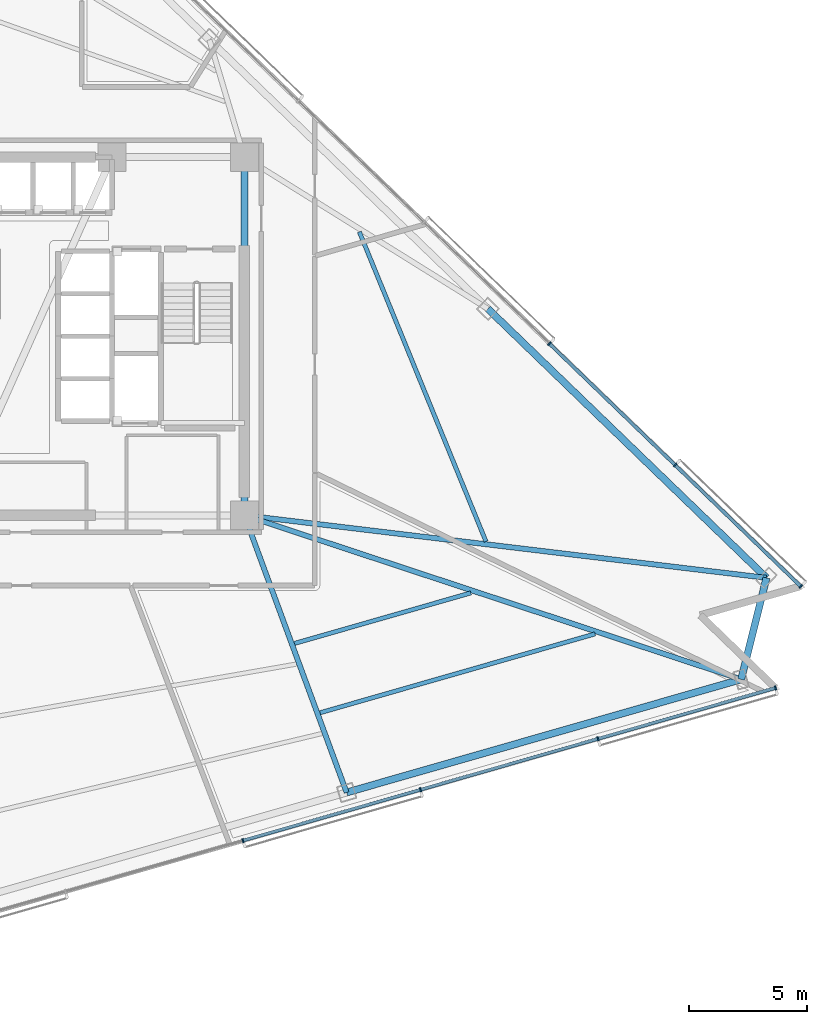
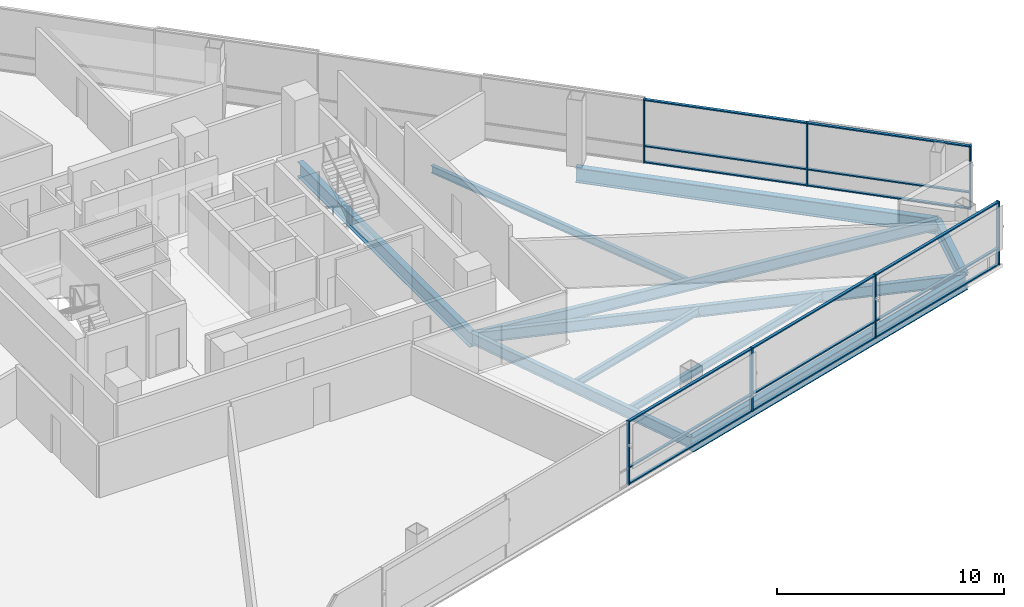
# One storey, part 5 of 17: 22 members, 10 beams, 2 elements without a shape of their own.
"""IFC4 building model written with IfcOpenShell, lengths in metres."""

import ifcopenshell
import ifcopenshell.guid

model = None  # the IFC model being written
_history = None  # IfcOwnerHistory: only IFC2X3 demands one
_inside = {}  # id of a spatial element -> (the spatial element, [elements in it])
_under = {}  # id of a project, library or spatial element -> (it, [spatial elements below it])
_declared = {}  # id of a project -> (the project, [libraries it declares])
_typed = {}  # id of a type object -> (the type object, [elements of that type])
_made_of = {}  # id of a material, layer set ... -> (it, [elements and type objects made of it])


def new_model(schema):
    """Start an empty IFC model of exactly this schema.

    Asked for "IFC4X3", IfcOpenShell would pick the latest addendum, in which some entities
    have other attributes; the version numbers below select the first issue.
    IFC2X3 requires an IfcOwnerHistory on every rooted entity: one is made here for all.
    """
    global model, _history
    if schema == "IFC4X3":
        model = ifcopenshell.file(schema_version=(4, 3, 0, 0))
    else:
        model = ifcopenshell.file(schema=schema)
    _inside.clear()
    _under.clear()
    _declared.clear()
    _typed.clear()
    _made_of.clear()
    _history = None
    if model.schema == "IFC2X3":
        org = make("IfcOrganization", Name="unknown")
        user = make(
            "IfcPersonAndOrganization",
            ThePerson=make("IfcPerson", FamilyName="unknown"),
            TheOrganization=org,
        )
        app = make(
            "IfcApplication",
            ApplicationDeveloper=org,
            Version="unknown",
            ApplicationFullName="unknown",
            ApplicationIdentifier="unknown",
        )
        _history = make(
            "IfcOwnerHistory",
            OwningUser=user,
            OwningApplication=app,
            ChangeAction="ADDED",
            CreationDate=0,
        )
    return model


def make(cls, **values):
    """One entity of the class cls with the attributes given. An attribute that is None is left unset."""
    return model.create_entity(
        cls, **{name: value for name, value in values.items() if value is not None}
    )


def rooted(cls, **values):
    """An entity with a GlobalId (a new one), such as an element, a storey or a relation."""
    return make(cls, GlobalId=ifcopenshell.guid.new(), OwnerHistory=_history, **values)


def si_unit(unit_type, name, prefix=None):
    """IfcSIUnit, for example si_unit("LENGTHUNIT", "METRE", prefix="MILLI")."""
    return make("IfcSIUnit", UnitType=unit_type, Prefix=prefix, Name=name)


def assignment(units):
    """IfcUnitAssignment: the units of a project."""
    return None if units is None else make("IfcUnitAssignment", Units=units)


def point(xyz):
    """IfcCartesianPoint."""
    return None if xyz is None else make("IfcCartesianPoint", Coordinates=xyz)


def direction(xyz):
    """IfcDirection."""
    return None if xyz is None else make("IfcDirection", DirectionRatios=xyz)


def frame(location, z_axis=None, x_axis=None):
    """IfcAxis2Placement3D, a coordinate frame: its origin and axes. An axis left out is left unset."""
    return make(
        "IfcAxis2Placement3D",
        Location=point(location),
        Axis=direction(z_axis),
        RefDirection=direction(x_axis),
    )


def frame_2d(location, x_axis=None):
    """IfcAxis2Placement2D, a coordinate frame in the plane: its origin and x axis."""
    return make(
        "IfcAxis2Placement2D", Location=point(location), RefDirection=direction(x_axis)
    )


def origin():
    """The frame at (0, 0, 0) with its axes left unset."""
    return frame((0.0, 0.0, 0.0))


def origin_2d():
    """The frame at (0, 0) in the plane with its x axis left unset."""
    return frame_2d((0.0, 0.0))


def place(relative_to, where):
    """IfcLocalPlacement: puts the frame where relative to a parent placement (None: the world)."""
    return make(
        "IfcLocalPlacement", PlacementRelTo=relative_to, RelativePlacement=where
    )


def context(
    kind, dimensions, precision=None, world=None, true_north=None, identifier=None
):
    """IfcGeometricRepresentationContext, for example the 3D "Model" context."""
    return make(
        "IfcGeometricRepresentationContext",
        ContextIdentifier=identifier,
        ContextType=kind,
        CoordinateSpaceDimension=dimensions,
        Precision=precision,
        WorldCoordinateSystem=world,
        TrueNorth=true_north,
    )


def subcontext(parent, identifier, kind, view, scale=None):
    """IfcGeometricRepresentationSubContext, for example "Body" below "Model"."""
    return make(
        "IfcGeometricRepresentationSubContext",
        ContextIdentifier=identifier,
        ContextType=kind,
        ParentContext=parent,
        TargetScale=scale,
        TargetView=view,
    )


def project(units=None, contexts=None):
    """IfcProject with its units and contexts."""
    return rooted(
        "IfcProject",
        Name="project",
        RepresentationContexts=contexts,
        UnitsInContext=assignment(units),
    )


def spatial(cls, under=None, at=None, **own):
    """A site, building, storey or space (cls), placed at a placement, below another one or the project."""
    s = rooted(cls, ObjectPlacement=at, **own)
    if under is not None:
        _under.setdefault(under.id(), (under, []))[1].append(s)
    return s


def profile(cls, at=None, kind="AREA", **sizes):
    """A parametric profile (cls). Its sizes go by their IFC names, for example OverallWidth=200.0."""
    return make(cls, ProfileType=kind, Position=at, **sizes)


def rectangle(**sizes):
    """IfcRectangleProfileDef."""
    return profile("IfcRectangleProfileDef", **sizes)


def i_section(**sizes):
    """IfcIShapeProfileDef."""
    return profile("IfcIShapeProfileDef", **sizes)


def extrude(swept, where, along, depth):
    """IfcExtrudedAreaSolid: the profile swept, set in the frame where, extruded along a direction by depth."""
    return make(
        "IfcExtrudedAreaSolid",
        SweptArea=swept,
        Position=where,
        ExtrudedDirection=direction(along),
        Depth=depth,
    )


def shape(context_of_items, identifier, shape_type, items):
    """IfcShapeRepresentation: the items that make up one representation, for example the "Body"."""
    return make(
        "IfcShapeRepresentation",
        ContextOfItems=context_of_items,
        RepresentationIdentifier=identifier,
        RepresentationType=shape_type,
        Items=items,
    )


def material(Name=None, Category=None):
    """IfcMaterial."""
    return make("IfcMaterial", Name=Name, Category=Category)


def layer(
    of_material, thickness, ventilated=None, Name=None, Category=None, Priority=None
):
    """IfcMaterialLayer: one layer of a wall or slab, of a material (None: an air gap)."""
    return make(
        "IfcMaterialLayer",
        Material=of_material,
        LayerThickness=thickness,
        IsVentilated=ventilated,
        Name=Name,
        Category=Category,
        Priority=Priority,
    )


def layer_set(layers, Name=None):
    """IfcMaterialLayerSet."""
    return make("IfcMaterialLayerSet", MaterialLayers=layers, LayerSetName=Name)


def material_profile(
    of_material, cross_section, Name=None, Category=None, Priority=None
):
    """IfcMaterialProfile: a cross section and its material."""
    return make(
        "IfcMaterialProfile",
        Name=Name,
        Material=of_material,
        Profile=cross_section,
        Priority=Priority,
        Category=Category,
    )


def profile_set(profiles, Name=None, composite=None):
    """IfcMaterialProfileSet."""
    return make(
        "IfcMaterialProfileSet",
        Name=Name,
        MaterialProfiles=profiles,
        CompositeProfile=composite,
    )


def made_of(thing, what):
    """Note that an element or type object is made of a material, layer set ...; save() writes the relation."""
    if what is not None:
        _made_of.setdefault(what.id(), (what, []))[1].append(thing)
    return thing


def type_object(cls, material=None, **own):
    """A type object (cls), such as IfcWallType, which elements share."""
    return made_of(rooted(cls, **own), material)


def element(
    cls,
    number,
    at=None,
    inside=None,
    cuts=None,
    type_object=None,
    material=None,
    context=None,
    identifier="Body",
    shape_type=None,
    held_by="IfcProductDefinitionShape",
    body=None,
    shapes=None,
    **own,
):
    """One element of the class cls, such as IfcWall. Its Tag is "e" and its number.

    at: its placement. inside: the storey or other place that contains it. cuts: it is an
    opening in that element (IfcRelVoidsElement). A single representation is given by context,
    identifier, shape_type and body (its items); several are given by shapes. held_by: the class
    of the entity that holds the representations. save() writes the other relations.
    """
    e = rooted(cls, Tag="e%d" % number, ObjectPlacement=at, **own)
    if body is not None:
        shapes = [shape(context, identifier, shape_type, body)]
    if shapes is not None:
        e.Representation = make(held_by, Representations=shapes)
    if inside is not None:
        _inside.setdefault(inside.id(), (inside, []))[1].append(e)
    if cuts is not None:
        rooted(
            "IfcRelVoidsElement", RelatingBuildingElement=cuts, RelatedOpeningElement=e
        )
    if type_object is not None:
        _typed.setdefault(type_object.id(), (type_object, []))[1].append(e)
    return made_of(e, material)


def aggregate(whole, parts):
    """IfcRelAggregates: a whole, such as a stair, and the parts it consists of."""
    return rooted("IfcRelAggregates", RelatingObject=whole, RelatedObjects=parts)


def save(model, path):
    """Write the relations noted so far, then the file.

    IfcRelAggregates (storeys below a building ...), IfcRelContainedInSpatialStructure (elements
    in a storey), IfcRelDefinesByType, IfcRelAssociatesMaterial and IfcRelDeclares: one each for
    every whole, place, type object, material and project.
    """
    for whole, parts in _under.values():
        aggregate(whole, parts)
    for where, things in _inside.values():
        rooted(
            "IfcRelContainedInSpatialStructure",
            RelatedElements=things,
            RelatingStructure=where,
        )
    for kind, things in _typed.values():
        rooted("IfcRelDefinesByType", RelatedObjects=things, RelatingType=kind)
    for what, things in _made_of.values():
        rooted("IfcRelAssociatesMaterial", RelatedObjects=things, RelatingMaterial=what)
    for by, libraries in _declared.values():
        rooted("IfcRelDeclares", RelatingContext=by, RelatedDefinitions=libraries)
    model.write(path)


model = new_model("IFC4")

# Units and contexts
model_context = context("Model", 3, precision=1e-05, world=origin(), true_north=direction((0.0, 1.0)))
body_context = subcontext(model_context, "Body", "Model", "MODEL_VIEW")
ifc_project = project(units=[si_unit("LENGTHUNIT", "METRE"), si_unit("AREAUNIT", "SQUARE_METRE"), si_unit("VOLUMEUNIT", "CUBIC_METRE"), si_unit("PLANEANGLEUNIT", "RADIAN"), si_unit("MASSUNIT", "GRAM", prefix="KILO")], contexts=[model_context])

# Site, building, storey
site_placement = place(None, origin())
site = spatial("IfcSite", under=ifc_project, at=site_placement, CompositionType="ELEMENT")
building_placement = place(site_placement, origin())
building = spatial("IfcBuilding", under=site, at=building_placement, Name="Tharavind Bronze Gate", CompositionType="ELEMENT")
storey_placement = place(building_placement, frame((0.0, 0.0, 93.300048828125)))
storey = spatial("IfcBuildingStorey", under=building, at=storey_placement, Name="L23", CompositionType="ELEMENT", Elevation=93.300048828125)

# Curtain wall, members
ifc_material_1 = material(Name="Anodised Bronze Aluminium", Category="aluminium")
ifc_layer = layer(ifc_material_1, 0.219970703125)
ifc_layer_set = layer_set([ifc_layer], Name="Anodised Bronze Aluminium")
curtain_wall_type = type_object("IfcCurtainWallType", Name="UNITISED CURTAIN WALL LOWER OFFICE", PredefinedType="USERDEFINED", material=ifc_layer_set)
curtain_wall_1_placement = place(storey_placement, origin())
curtain_wall_1 = element("IfcCurtainWall", 1, at=curtain_wall_1_placement, inside=storey, type_object=curtain_wall_type, Name="L23 unitised curtain wall lower office CW-L23-S2", ObjectType="UNITISED CURTAIN WALL", PredefinedType="USERDEFINED")
member_type_1 = type_object("IfcMemberType", Name="CURTAIN WALL BRONZE MULLION 65X180", PredefinedType="MULLION", material=ifc_material_1)
member_1_placement = place(storey_placement, frame((8.83837890625, -21.406982421875, 0.0), z_axis=(0.0, 0.0, 1.0), x_axis=(0.961261695938, 0.275637355817, 0.0)))
member_1 = element("IfcMember", 2, at=member_1_placement, type_object=member_type_1, Name="CW-L23-S2 mullion 5", PredefinedType="MULLION", context=body_context, shape_type="SweptSolid", body=[
    extrude(rectangle(XDim=0.06494140625, YDim=0.179931640625, at=origin_2d()), origin(), (0.0, 0.0, 1.0), 3.409912109375),
])
member_2_placement = place(storey_placement, frame((16.371826171875, -19.246826171875, 0.0), z_axis=(0.0, 0.0, 1.0), x_axis=(0.961261695938, 0.275637355817, 0.0)))
member_2 = element("IfcMember", 3, at=member_2_placement, type_object=member_type_1, Name="CW-L23-S2 mullion 6", PredefinedType="MULLION", context=body_context, shape_type="SweptSolid", body=[
    extrude(rectangle(XDim=0.06494140625, YDim=0.179931640625, at=origin_2d()), origin(), (0.0, 0.0, 1.0), 3.409912109375),
])
member_3_placement = place(storey_placement, frame((23.9052734375, -17.086669921875, 0.0), z_axis=(0.0, 0.0, 1.0), x_axis=(0.961261695938, 0.275637355817, 0.0)))
member_3 = element("IfcMember", 4, at=member_3_placement, type_object=member_type_1, Name="CW-L23-S2 mullion 7", PredefinedType="MULLION", context=body_context, shape_type="SweptSolid", body=[
    extrude(rectangle(XDim=0.06494140625, YDim=0.179931640625, at=origin_2d()), origin(), (0.0, 0.0, 1.0), 3.409912109375),
])
member_4_placement = place(storey_placement, frame((31.438720703125, -14.926513671875, 0.0), z_axis=(0.0, 0.0, 1.0), x_axis=(0.961261695938, 0.275637355817, 0.0)))
member_4 = element("IfcMember", 5, at=member_4_placement, type_object=member_type_1, Name="CW-L23-S2 mullion 8", PredefinedType="MULLION", context=body_context, shape_type="SweptSolid", body=[
    extrude(rectangle(XDim=0.06494140625, YDim=0.179931640625, at=origin_2d()), origin(), (0.0, 0.0, 1.0), 3.409912109375),
])

curtain_wall_2_placement = place(storey_placement, origin())
curtain_wall_2 = element("IfcCurtainWall", 6, at=curtain_wall_2_placement, inside=storey, type_object=curtain_wall_type, Name="L23 unitised curtain wall lower office CW-L23-S3", ObjectType="UNITISED CURTAIN WALL", PredefinedType="USERDEFINED")
member_5_placement = place(storey_placement, frame((32.512939453125, -10.618408203125, 0.0), z_axis=(0.0, 0.0, 1.0), x_axis=(-0.719341012745, 0.694657114973, 0.0)))
member_5 = element("IfcMember", 7, at=member_5_placement, type_object=member_type_1, Name="CW-L23-S3 mullion 1", PredefinedType="MULLION", context=body_context, shape_type="SweptSolid", body=[
    extrude(rectangle(XDim=0.06494140625, YDim=0.179931640625, at=origin_2d()), origin(), (0.0, 0.0, 1.0), 3.409912109375),
])
member_6_placement = place(storey_placement, frame((27.1796875, -5.468017578125, 0.0), z_axis=(0.0, 0.0, 1.0), x_axis=(-0.719341012745, 0.694657114973, 0.0)))
member_6 = element("IfcMember", 8, at=member_6_placement, type_object=member_type_1, Name="CW-L23-S3 mullion 2", PredefinedType="MULLION", context=body_context, shape_type="SweptSolid", body=[
    extrude(rectangle(XDim=0.06494140625, YDim=0.179931640625, at=origin_2d()), origin(), (0.0, 0.0, 1.0), 3.409912109375),
])
member_7_placement = place(storey_placement, frame((21.84619140625, -0.317626953125, 0.0), z_axis=(0.0, 0.0, 1.0), x_axis=(-0.719341012745, 0.694657114973, 0.0)))
member_7 = element("IfcMember", 9, at=member_7_placement, type_object=member_type_1, Name="CW-L23-S3 mullion 3", PredefinedType="MULLION", context=body_context, shape_type="SweptSolid", body=[
    extrude(rectangle(XDim=0.06494140625, YDim=0.179931640625, at=origin_2d()), origin(), (0.0, 0.0, 1.0), 3.409912109375),
])

# Member
member_type_2 = type_object("IfcMemberType", Name="CURTAIN WALL BRONZE TRANSOM 65X140", PredefinedType="USERDEFINED", material=ifc_material_1)
member_8_placement = place(storey_placement, frame((12.60498046875, -20.326904296875, 0.0), z_axis=(0.0, 0.0, 1.0), x_axis=(0.961261695938, 0.275637355817, 0.0)))
member_8 = element("IfcMember", 10, at=member_8_placement, type_object=member_type_2, Name="CW-L23-S2 transom TB5", ObjectType="TRANSOM", PredefinedType="USERDEFINED", context=body_context, shape_type="SweptSolid", body=[
    extrude(rectangle(XDim=7.7841796875, YDim=0.139892578125, at=origin_2d()), origin(), (0.0, 0.0, 1.0), 0.06494140625),
])

member_9_placement = place(storey_placement, frame((12.60498046875, -20.326904296875, 0.867431640625), z_axis=(0.0, 0.0, 1.0), x_axis=(0.961261695938, 0.275637355817, 0.0)))
member_9 = element("IfcMember", 11, at=member_9_placement, type_object=member_type_2, Name="CW-L23-S2 transom TS5", ObjectType="TRANSOM", PredefinedType="USERDEFINED", context=body_context, shape_type="SweptSolid", body=[
    extrude(rectangle(XDim=7.7841796875, YDim=0.139892578125, at=origin_2d()), origin(), (0.0, 0.0, 1.0), 0.06494140625),
])

member_10_placement = place(storey_placement, frame((12.60498046875, -20.326904296875, 3.344970703125), z_axis=(0.0, 0.0, 1.0), x_axis=(0.961261695938, 0.275637355817, 0.0)))
member_10 = element("IfcMember", 12, at=member_10_placement, type_object=member_type_2, Name="CW-L23-S2 transom TT5", ObjectType="TRANSOM", PredefinedType="USERDEFINED", context=body_context, shape_type="SweptSolid", body=[
    extrude(rectangle(XDim=7.7841796875, YDim=0.139892578125, at=origin_2d()), origin(), (0.0, 0.0, 1.0), 0.06494140625),
])

member_11_placement = place(storey_placement, frame((20.138671875, -18.166748046875, 0.0), z_axis=(0.0, 0.0, 1.0), x_axis=(0.961261695938, 0.275637355817, 0.0)))
member_11 = element("IfcMember", 13, at=member_11_placement, type_object=member_type_2, Name="CW-L23-S2 transom TB6", ObjectType="TRANSOM", PredefinedType="USERDEFINED", context=body_context, shape_type="SweptSolid", body=[
    extrude(rectangle(XDim=7.7841796875, YDim=0.139892578125, at=origin_2d()), origin(), (0.0, 0.0, 1.0), 0.06494140625),
])

member_12_placement = place(storey_placement, frame((20.138671875, -18.166748046875, 0.867431640625), z_axis=(0.0, 0.0, 1.0), x_axis=(0.961261695938, 0.275637355817, 0.0)))
member_12 = element("IfcMember", 14, at=member_12_placement, type_object=member_type_2, Name="CW-L23-S2 transom TS6", ObjectType="TRANSOM", PredefinedType="USERDEFINED", context=body_context, shape_type="SweptSolid", body=[
    extrude(rectangle(XDim=7.7841796875, YDim=0.139892578125, at=origin_2d()), origin(), (0.0, 0.0, 1.0), 0.06494140625),
])

member_13_placement = place(storey_placement, frame((20.138671875, -18.166748046875, 3.344970703125), z_axis=(0.0, 0.0, 1.0), x_axis=(0.961261695938, 0.275637355817, 0.0)))
member_13 = element("IfcMember", 15, at=member_13_placement, type_object=member_type_2, Name="CW-L23-S2 transom TT6", ObjectType="TRANSOM", PredefinedType="USERDEFINED", context=body_context, shape_type="SweptSolid", body=[
    extrude(rectangle(XDim=7.7841796875, YDim=0.139892578125, at=origin_2d()), origin(), (0.0, 0.0, 1.0), 0.06494140625),
])

member_14_placement = place(storey_placement, frame((27.672119140625, -16.006591796875, 0.0), z_axis=(0.0, 0.0, 1.0), x_axis=(0.961261695938, 0.275637355817, 0.0)))
member_14 = element("IfcMember", 16, at=member_14_placement, type_object=member_type_2, Name="CW-L23-S2 transom TB7", ObjectType="TRANSOM", PredefinedType="USERDEFINED", context=body_context, shape_type="SweptSolid", body=[
    extrude(rectangle(XDim=7.7841796875, YDim=0.139892578125, at=origin_2d()), origin(), (0.0, 0.0, 1.0), 0.06494140625),
])

member_15_placement = place(storey_placement, frame((27.672119140625, -16.006591796875, 0.867431640625), z_axis=(0.0, 0.0, 1.0), x_axis=(0.961261695938, 0.275637355817, 0.0)))
member_15 = element("IfcMember", 17, at=member_15_placement, type_object=member_type_2, Name="CW-L23-S2 transom TS7", ObjectType="TRANSOM", PredefinedType="USERDEFINED", context=body_context, shape_type="SweptSolid", body=[
    extrude(rectangle(XDim=7.7841796875, YDim=0.139892578125, at=origin_2d()), origin(), (0.0, 0.0, 1.0), 0.06494140625),
])

member_16_placement = place(storey_placement, frame((27.672119140625, -16.006591796875, 3.344970703125), z_axis=(0.0, 0.0, 1.0), x_axis=(0.961261695938, 0.275637355817, 0.0)))
member_16 = element("IfcMember", 18, at=member_16_placement, type_object=member_type_2, Name="CW-L23-S2 transom TT7", ObjectType="TRANSOM", PredefinedType="USERDEFINED", context=body_context, shape_type="SweptSolid", body=[
    extrude(rectangle(XDim=7.7841796875, YDim=0.139892578125, at=origin_2d()), origin(), (0.0, 0.0, 1.0), 0.06494140625),
])

aggregate(curtain_wall_1, [member_1, member_2, member_3, member_4, member_8, member_9, member_10, member_11, member_12, member_13, member_14, member_15, member_16])

member_17_placement = place(storey_placement, frame((29.84619140625, -8.043212890625, 0.0), z_axis=(0.0, 0.0, 1.0), x_axis=(-0.719341012745, 0.694657114973, 0.0)))
member_17 = element("IfcMember", 19, at=member_17_placement, type_object=member_type_2, Name="CW-L23-S3 transom TB1", ObjectType="TRANSOM", PredefinedType="USERDEFINED", context=body_context, shape_type="SweptSolid", body=[
    extrude(rectangle(XDim=7.361083984375, YDim=0.139892578125, at=origin_2d()), origin(), (0.0, 0.0, 1.0), 0.06494140625),
])

member_18_placement = place(storey_placement, frame((29.84619140625, -8.043212890625, 0.867431640625), z_axis=(0.0, 0.0, 1.0), x_axis=(-0.719341012745, 0.694657114973, 0.0)))
member_18 = element("IfcMember", 20, at=member_18_placement, type_object=member_type_2, Name="CW-L23-S3 transom TS1", ObjectType="TRANSOM", PredefinedType="USERDEFINED", context=body_context, shape_type="SweptSolid", body=[
    extrude(rectangle(XDim=7.361083984375, YDim=0.139892578125, at=origin_2d()), origin(), (0.0, 0.0, 1.0), 0.06494140625),
])

member_19_placement = place(storey_placement, frame((29.84619140625, -8.043212890625, 3.344970703125), z_axis=(0.0, 0.0, 1.0), x_axis=(-0.719341012745, 0.694657114973, 0.0)))
member_19 = element("IfcMember", 21, at=member_19_placement, type_object=member_type_2, Name="CW-L23-S3 transom TT1", ObjectType="TRANSOM", PredefinedType="USERDEFINED", context=body_context, shape_type="SweptSolid", body=[
    extrude(rectangle(XDim=7.361083984375, YDim=0.139892578125, at=origin_2d()), origin(), (0.0, 0.0, 1.0), 0.06494140625),
])

member_20_placement = place(storey_placement, frame((24.512939453125, -2.892822265625, 0.0), z_axis=(0.0, 0.0, 1.0), x_axis=(-0.719341012745, 0.694657114973, 0.0)))
member_20 = element("IfcMember", 22, at=member_20_placement, type_object=member_type_2, Name="CW-L23-S3 transom TB2", ObjectType="TRANSOM", PredefinedType="USERDEFINED", context=body_context, shape_type="SweptSolid", body=[
    extrude(rectangle(XDim=7.361083984375, YDim=0.139892578125, at=origin_2d()), origin(), (0.0, 0.0, 1.0), 0.06494140625),
])

member_21_placement = place(storey_placement, frame((24.512939453125, -2.892822265625, 0.867431640625), z_axis=(0.0, 0.0, 1.0), x_axis=(-0.719341012745, 0.694657114973, 0.0)))
member_21 = element("IfcMember", 23, at=member_21_placement, type_object=member_type_2, Name="CW-L23-S3 transom TS2", ObjectType="TRANSOM", PredefinedType="USERDEFINED", context=body_context, shape_type="SweptSolid", body=[
    extrude(rectangle(XDim=7.361083984375, YDim=0.139892578125, at=origin_2d()), origin(), (0.0, 0.0, 1.0), 0.06494140625),
])

member_22_placement = place(storey_placement, frame((24.512939453125, -2.892822265625, 3.344970703125), z_axis=(0.0, 0.0, 1.0), x_axis=(-0.719341012745, 0.694657114973, 0.0)))
member_22 = element("IfcMember", 24, at=member_22_placement, type_object=member_type_2, Name="CW-L23-S3 transom TT2", ObjectType="TRANSOM", PredefinedType="USERDEFINED", context=body_context, shape_type="SweptSolid", body=[
    extrude(rectangle(XDim=7.361083984375, YDim=0.139892578125, at=origin_2d()), origin(), (0.0, 0.0, 1.0), 0.06494140625),
])

aggregate(curtain_wall_2, [member_5, member_6, member_7, member_17, member_18, member_19, member_20, member_21, member_22])

# Beams
ifc_material_2 = material(Name="Steel S355", Category="steel")
ifc_material_profile_1 = material_profile(ifc_material_2, i_section(OverallWidth=0.219970703125, OverallDepth=0.60009765625, WebThickness=0.011962890625, FlangeThickness=0.01904296875, at=origin_2d()), Name="IPE600")
ifc_profile_set_1 = profile_set([ifc_material_profile_1], Name="Steel S355")
beam_type_1 = type_object("IfcBeamType", Name="PRIMARY GIRDER IPE600", PredefinedType="USERDEFINED", material=ifc_profile_set_1)
beam_1_placement = place(storey_placement, frame((13.23779296875, -19.365234375, -0.489990234375), z_axis=(-0.345941741317, 0.938255994713, 0.0), x_axis=(-0.938255994713, -0.345941741317, 0.0)))
element("IfcBeam", 25, at=beam_1_placement, inside=storey, type_object=beam_type_1, Name="L23 primary girder ipe600 BM-L23-RAD07", ObjectType="GIRDER", PredefinedType="USERDEFINED", context=body_context, shape_type="SweptSolid", body=[
    extrude(i_section(OverallWidth=0.219970703125, OverallDepth=0.60009765625, WebThickness=0.011962890625, FlangeThickness=0.01904296875, at=origin_2d()), origin(), (0.0, 0.0, 1.0), 12.539306640625),
])
beam_2_placement = place(storey_placement, frame((29.9833984375, -14.563720703125, -0.489990234375), z_axis=(-0.949547271017, 0.313623946956, 0.0), x_axis=(-0.313623946956, -0.949547271017, 0.0)))
element("IfcBeam", 26, at=beam_2_placement, inside=storey, type_object=beam_type_1, Name="L23 primary girder ipe600 BM-L23-RAD08", ObjectType="GIRDER", PredefinedType="USERDEFINED", context=body_context, shape_type="SweptSolid", body=[
    extrude(i_section(OverallWidth=0.219970703125, OverallDepth=0.60009765625, WebThickness=0.011962890625, FlangeThickness=0.01904296875, at=origin_2d()), origin(), (0.0, 0.0, 1.0), 22.20361328125),
])
beam_3_placement = place(storey_placement, frame((31.0576171875, -10.255615234375, -0.489990234375), z_axis=(-0.992894893645, 0.118994664472, 0.0), x_axis=(-0.118994664472, -0.992894893645, 0.0)))
element("IfcBeam", 27, at=beam_3_placement, inside=storey, type_object=beam_type_1, Name="L23 primary girder ipe600 BM-L23-RAD09", ObjectType="GIRDER", PredefinedType="USERDEFINED", context=body_context, shape_type="SweptSolid", body=[
    extrude(i_section(OverallWidth=0.219970703125, OverallDepth=0.60009765625, WebThickness=0.011962890625, FlangeThickness=0.01904296875, at=origin_2d()), origin(), (0.0, 0.0, 1.0), 22.316162109375),
])
ifc_material_profile_2 = material_profile(ifc_material_2, i_section(OverallWidth=0.300048828125, OverallDepth=0.800048828125, WebThickness=0.017578125, FlangeThickness=0.032958984375, at=origin_2d()), Name="HE800B")
ifc_profile_set_2 = profile_set([ifc_material_profile_2], Name="Steel S355")
beam_type_2 = type_object("IfcBeamType", Name="RING GIRDER HE800B", PredefinedType="USERDEFINED", material=ifc_profile_set_2)
beam_4_placement = place(storey_placement, frame((8.89990234375, -7.60009765625, -0.590087890625), z_axis=(0.0, 1.0, 0.0), x_axis=(-1.0, 0.0, 0.0)))
element("IfcBeam", 28, at=beam_4_placement, inside=storey, type_object=beam_type_2, Name="L23 ring girder he800b BM-L23-CR3", ObjectType="GIRDER", PredefinedType="USERDEFINED", context=body_context, shape_type="SweptSolid", body=[
    extrude(i_section(OverallWidth=0.300048828125, OverallDepth=0.800048828125, WebThickness=0.017578125, FlangeThickness=0.032958984375, at=origin_2d()), origin(), (0.0, 0.0, 1.0), 15.2001953125),
])
beam_5_placement = place(storey_placement, frame((13.23779296875, -19.365234375, -0.590087890625), z_axis=(0.961264911639, 0.275626141088, 0.0), x_axis=(-0.275626141088, 0.961264911639, 0.0)))
element("IfcBeam", 29, at=beam_5_placement, inside=storey, type_object=beam_type_2, Name="L23 ring girder he800b BM-L23-PRG07", ObjectType="GIRDER", PredefinedType="USERDEFINED", context=body_context, shape_type="SweptSolid", body=[
    extrude(i_section(OverallWidth=0.300048828125, OverallDepth=0.800048828125, WebThickness=0.017578125, FlangeThickness=0.032958984375, at=origin_2d()), origin(), (0.0, 0.0, 1.0), 17.42041015625),
])
beam_6_placement = place(storey_placement, frame((29.9833984375, -14.563720703125, -0.590087890625), z_axis=(0.241940431812, 0.970291104491, 0.0), x_axis=(-0.970291104491, 0.241940431812, 0.0)))
element("IfcBeam", 30, at=beam_6_placement, inside=storey, type_object=beam_type_2, Name="L23 ring girder he800b BM-L23-PRG08", ObjectType="GIRDER", PredefinedType="USERDEFINED", context=body_context, shape_type="SweptSolid", body=[
    extrude(i_section(OverallWidth=0.300048828125, OverallDepth=0.800048828125, WebThickness=0.017578125, FlangeThickness=0.032958984375, at=origin_2d()), origin(), (0.0, 0.0, 1.0), 4.43994140625),
])
beam_7_placement = place(storey_placement, frame((31.0576171875, -10.255615234375, -0.590087890625), z_axis=(-0.719336950964, 0.694661321061, 0.0), x_axis=(-0.694661321061, -0.719336950964, 0.0)))
element("IfcBeam", 31, at=beam_7_placement, inside=storey, type_object=beam_type_2, Name="L23 ring girder he800b BM-L23-PRG09", ObjectType="GIRDER", PredefinedType="USERDEFINED", context=body_context, shape_type="SweptSolid", body=[
    extrude(i_section(OverallWidth=0.300048828125, OverallDepth=0.800048828125, WebThickness=0.017578125, FlangeThickness=0.032958984375, at=origin_2d()), origin(), (0.0, 0.0, 1.0), 16.433837890625),
])
ifc_material_profile_3 = material_profile(ifc_material_2, i_section(OverallWidth=0.179931640625, OverallDepth=0.39990234375, WebThickness=0.008544921875, FlangeThickness=0.013427734375, at=origin_2d()), Name="IPE400")
ifc_profile_set_3 = profile_set([ifc_material_profile_3], Name="Steel S355")
beam_type_3 = type_object("IfcBeamType", Name="SECONDARY FLOOR JOIST IPE400", PredefinedType="JOIST", material=ifc_profile_set_3)
beam_8_placement = place(storey_placement, frame((11.027099609375, -13.039306640625, -0.39013671875), z_axis=(0.961264410597, 0.275627888501, 0.0), x_axis=(-0.275627888501, 0.961264410597, 0.0)))
element("IfcBeam", 32, at=beam_8_placement, inside=storey, type_object=beam_type_3, Name="L23 secondary floor joist ipe400 BM-L23-JSTA07", PredefinedType="JOIST", context=body_context, shape_type="SweptSolid", body=[
    extrude(i_section(OverallWidth=0.179931640625, OverallDepth=0.39990234375, WebThickness=0.008544921875, FlangeThickness=0.013427734375, at=origin_2d()), origin(), (0.0, 0.0, 1.0), 7.78662109375),
])
beam_9_placement = place(storey_placement, frame((12.111328125, -15.980712890625, -0.39013671875), z_axis=(0.961258694637, 0.275647822385, 0.0), x_axis=(-0.275647822385, 0.961258694637, 0.0)))
element("IfcBeam", 33, at=beam_9_placement, inside=storey, type_object=beam_type_3, Name="L23 secondary floor joist ipe400 BM-L23-JSTB07", PredefinedType="JOIST", context=body_context, shape_type="SweptSolid", body=[
    extrude(i_section(OverallWidth=0.179931640625, OverallDepth=0.39990234375, WebThickness=0.008544921875, FlangeThickness=0.013427734375, at=origin_2d()), origin(), (0.0, 0.0, 1.0), 12.14208984375),
])
beam_10_placement = place(storey_placement, frame((19.154052734375, -8.714599609375, -0.39013671875), z_axis=(-0.378556522094, 0.925578175834, 0.0), x_axis=(-0.925578175834, -0.378556522094, 0.0)))
element("IfcBeam", 34, at=beam_10_placement, inside=storey, type_object=beam_type_3, Name="L23 secondary floor joist ipe400 BM-L23-JSTA09", PredefinedType="JOIST", context=body_context, shape_type="SweptSolid", body=[
    extrude(i_section(OverallWidth=0.179931640625, OverallDepth=0.39990234375, WebThickness=0.008544921875, FlangeThickness=0.013427734375, at=origin_2d()), origin(), (0.0, 0.0, 1.0), 14.19921875),
])

save(model, "model.ifc")
